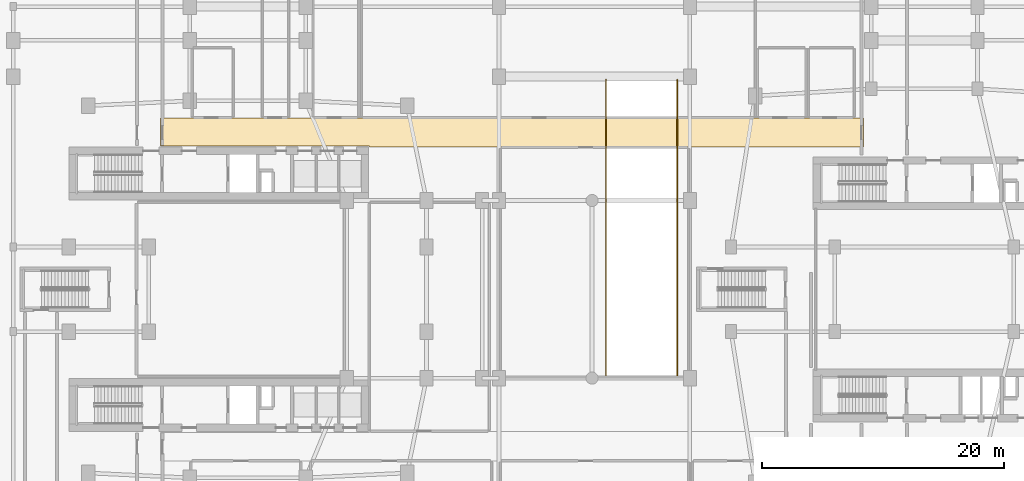
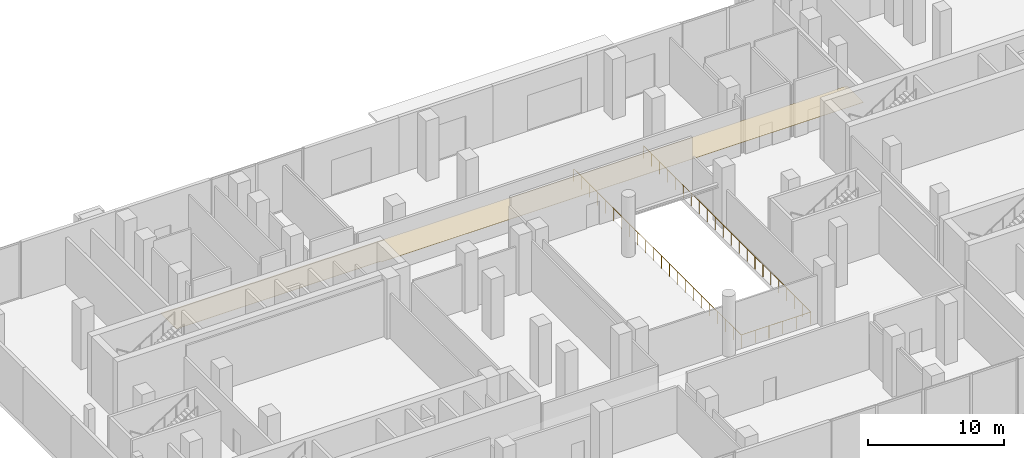
# One storey, part 22 of 24: 1 covering, 1 railing.
"""IFC4 building model written with IfcOpenShell, lengths in metres."""

from ifc_helpers import new_model, si_unit, derived_unit, direction, frame, origin, origin_2d, place, context, subcontext, project, spatial, polyline, circle, outline, extrude, material, layer, layer_set, type_object, element, save


model = new_model("IFC4")

# Units and contexts
model_context = context("Model", 3, precision=1e-05, world=origin(), true_north=direction((0.0, 1.0)))
body_context = subcontext(model_context, "Body", "Model", "MODEL_VIEW")
ifc_project = project(units=[si_unit("LENGTHUNIT", "METRE"), si_unit("AREAUNIT", "SQUARE_METRE"), si_unit("VOLUMEUNIT", "CUBIC_METRE"), si_unit("PLANEANGLEUNIT", "RADIAN"), si_unit("MASSUNIT", "GRAM", prefix="KILO"), derived_unit("THERMALTRANSMITTANCEUNIT", [(si_unit("POWERUNIT", "WATT"), 1), (si_unit("LENGTHUNIT", "METRE"), -2), (si_unit("THERMODYNAMICTEMPERATUREUNIT", "KELVIN"), -1)])], contexts=[model_context])

# Site, building, storey
site_placement = place(None, origin())
site = spatial("IfcSite", under=ifc_project, at=site_placement, CompositionType="ELEMENT")
building_placement = place(site_placement, origin())
building = spatial("IfcBuilding", under=site, at=building_placement, Name="Kivonza Crest Hotel", CompositionType="ELEMENT")
storey_placement = place(building_placement, origin())
storey = spatial("IfcBuildingStorey", under=building, at=storey_placement, Name="L00", CompositionType="ELEMENT", Elevation=0.0)

# Covering
ifc_material_1 = material(Name="Mineral-fibre acoustic ceiling tile", Category="gypsum")
ifc_layer = layer(ifc_material_1, 0.02490234375)
ifc_layer_set = layer_set([ifc_layer], Name="Mineral-fibre acoustic ceiling tile")
covering_type = type_object("IfcCoveringType", Name="CV-CEIL-ACOU", PredefinedType="CEILING", material=ifc_layer_set)
covering_placement = place(storey_placement, frame((0.0, 0.0, 3.0)))
element("IfcCovering", 1, at=covering_placement, inside=storey, type_object=covering_type, Name="L00 Ground North and West Concourse Corridor suspended ceiling", PredefinedType="CEILING", context=body_context, shape_type="SweptSolid", body=[
    extrude(outline(polyline([(71.9599609375, 36.760009765625), (71.9599609375, 39.18994140625), (13.7900390625, 39.18994140625), (13.7900390625, 36.860107421875), (31.10009765625, 36.860107421875), (31.10009765625, 36.760009765625), (71.9599609375, 36.760009765625)])), origin(), (0.0, 0.0, 1.0), 0.02490234375),
])

# Railing
ifc_material_2 = material(Name="Painted steel balustrade", Category="steel")
railing_type = type_object("IfcRailingType", Name="RL-STAIR-1150", PredefinedType="BALUSTRADE", material=ifc_material_2)
railing_placement = place(storey_placement, frame((50.64990234375, 42.35009765625, 0.0)))
element("IfcRailing", 2, at=railing_placement, inside=storey, type_object=railing_type, Name="L00 vehicle ramp well perimeter safety guard", PredefinedType="BALUSTRADE", context=body_context, shape_type="SweptSolid", body=[
    extrude(circle(Radius=0.02392578125, at=origin_2d()), frame((0.0, 0.0, 1.1259765625), z_axis=(0.0, -1.0, 0.0), x_axis=(1.0, 0.0, 0.0)), (0.0, 0.0, 1.0), 24.550048828125),
    extrude(circle(Radius=0.02392578125, at=origin_2d()), frame((0.0, -24.550048828125, 1.1259765625), z_axis=(1.0, 0.0, 0.0), x_axis=(0.0, 1.0, 0.0)), (0.0, 0.0, 1.0), 5.900146484375),
    extrude(circle(Radius=0.02392578125, at=origin_2d()), frame((5.900146484375, -24.550048828125, 1.1259765625), z_axis=(0.0, 1.0, 0.0), x_axis=(-1.0, 0.0, 0.0)), (0.0, 0.0, 1.0), 24.550048828125),
    extrude(circle(Radius=0.02099609375, at=origin_2d()), origin(), (0.0, 0.0, 1.0), 1.101806640625),
    extrude(circle(Radius=0.02099609375, at=origin_2d()), frame((0.0, -1.1689453125, 0.0)), (0.0, 0.0, 1.0), 1.101806640625),
    extrude(circle(Radius=0.02099609375, at=origin_2d()), frame((0.0, -2.338134765625, 0.0)), (0.0, 0.0, 1.0), 1.101806640625),
    extrude(circle(Radius=0.02099609375, at=origin_2d()), frame((0.0, -3.507080078125, 0.0)), (0.0, 0.0, 1.0), 1.101806640625),
    extrude(circle(Radius=0.02099609375, at=origin_2d()), frame((0.0, -4.67626953125, 0.0)), (0.0, 0.0, 1.0), 1.101806640625),
    extrude(circle(Radius=0.02099609375, at=origin_2d()), frame((0.0, -5.84521484375, 0.0)), (0.0, 0.0, 1.0), 1.101806640625),
    extrude(circle(Radius=0.02099609375, at=origin_2d()), frame((0.0, -7.014404296875, 0.0)), (0.0, 0.0, 1.0), 1.101806640625),
    extrude(circle(Radius=0.02099609375, at=origin_2d()), frame((0.0, -8.183349609375, 0.0)), (0.0, 0.0, 1.0), 1.101806640625),
    extrude(circle(Radius=0.02099609375, at=origin_2d()), frame((0.0, -9.352294921875, 0.0)), (0.0, 0.0, 1.0), 1.101806640625),
    extrude(circle(Radius=0.02099609375, at=origin_2d()), frame((0.0, -10.521484375, 0.0)), (0.0, 0.0, 1.0), 1.101806640625),
    extrude(circle(Radius=0.02099609375, at=origin_2d()), frame((0.0, -11.6904296875, 0.0)), (0.0, 0.0, 1.0), 1.101806640625),
    extrude(circle(Radius=0.02099609375, at=origin_2d()), frame((0.0, -12.859619140625, 0.0)), (0.0, 0.0, 1.0), 1.101806640625),
    extrude(circle(Radius=0.02099609375, at=origin_2d()), frame((0.0, -14.028564453125, 0.0)), (0.0, 0.0, 1.0), 1.101806640625),
    extrude(circle(Radius=0.02099609375, at=origin_2d()), frame((0.0, -15.19775390625, 0.0)), (0.0, 0.0, 1.0), 1.101806640625),
    extrude(circle(Radius=0.02099609375, at=origin_2d()), frame((0.0, -16.36669921875, 0.0)), (0.0, 0.0, 1.0), 1.101806640625),
    extrude(circle(Radius=0.02099609375, at=origin_2d()), frame((0.0, -17.53564453125, 0.0)), (0.0, 0.0, 1.0), 1.101806640625),
    extrude(circle(Radius=0.02099609375, at=origin_2d()), frame((0.0, -18.704833984375, 0.0)), (0.0, 0.0, 1.0), 1.101806640625),
    extrude(circle(Radius=0.02099609375, at=origin_2d()), frame((0.0, -19.873779296875, 0.0)), (0.0, 0.0, 1.0), 1.101806640625),
    extrude(circle(Radius=0.02099609375, at=origin_2d()), frame((0.0, -21.04296875, 0.0)), (0.0, 0.0, 1.0), 1.101806640625),
    extrude(circle(Radius=0.02099609375, at=origin_2d()), frame((0.0, -22.2119140625, 0.0)), (0.0, 0.0, 1.0), 1.101806640625),
    extrude(circle(Radius=0.02099609375, at=origin_2d()), frame((0.0, -23.381103515625, 0.0)), (0.0, 0.0, 1.0), 1.101806640625),
    extrude(circle(Radius=0.02099609375, at=origin_2d()), frame((0.0, -24.550048828125, 0.0)), (0.0, 0.0, 1.0), 1.101806640625),
    extrude(circle(Radius=0.02099609375, at=origin_2d()), frame((1.179931640625, -24.550048828125, 0.0)), (0.0, 0.0, 1.0), 1.101806640625),
    extrude(circle(Radius=0.02099609375, at=origin_2d()), frame((2.360107421875, -24.550048828125, 0.0)), (0.0, 0.0, 1.0), 1.101806640625),
    extrude(circle(Radius=0.02099609375, at=origin_2d()), frame((3.5400390625, -24.550048828125, 0.0)), (0.0, 0.0, 1.0), 1.101806640625),
    extrude(circle(Radius=0.02099609375, at=origin_2d()), frame((4.72021484375, -24.550048828125, 0.0)), (0.0, 0.0, 1.0), 1.101806640625),
    extrude(circle(Radius=0.02099609375, at=origin_2d()), frame((5.900146484375, -24.550048828125, 0.0)), (0.0, 0.0, 1.0), 1.101806640625),
    extrude(circle(Radius=0.02099609375, at=origin_2d()), frame((5.900146484375, -23.381103515625, 0.0)), (0.0, 0.0, 1.0), 1.101806640625),
    extrude(circle(Radius=0.02099609375, at=origin_2d()), frame((5.900146484375, -22.2119140625, 0.0)), (0.0, 0.0, 1.0), 1.101806640625),
    extrude(circle(Radius=0.02099609375, at=origin_2d()), frame((5.900146484375, -21.04296875, 0.0)), (0.0, 0.0, 1.0), 1.101806640625),
    extrude(circle(Radius=0.02099609375, at=origin_2d()), frame((5.900146484375, -19.873779296875, 0.0)), (0.0, 0.0, 1.0), 1.101806640625),
    extrude(circle(Radius=0.02099609375, at=origin_2d()), frame((5.900146484375, -18.704833984375, 0.0)), (0.0, 0.0, 1.0), 1.101806640625),
    extrude(circle(Radius=0.02099609375, at=origin_2d()), frame((5.900146484375, -17.53564453125, 0.0)), (0.0, 0.0, 1.0), 1.101806640625),
    extrude(circle(Radius=0.02099609375, at=origin_2d()), frame((5.900146484375, -16.36669921875, 0.0)), (0.0, 0.0, 1.0), 1.101806640625),
    extrude(circle(Radius=0.02099609375, at=origin_2d()), frame((5.900146484375, -15.19775390625, 0.0)), (0.0, 0.0, 1.0), 1.101806640625),
    extrude(circle(Radius=0.02099609375, at=origin_2d()), frame((5.900146484375, -14.028564453125, 0.0)), (0.0, 0.0, 1.0), 1.101806640625),
    extrude(circle(Radius=0.02099609375, at=origin_2d()), frame((5.900146484375, -12.859619140625, 0.0)), (0.0, 0.0, 1.0), 1.101806640625),
    extrude(circle(Radius=0.02099609375, at=origin_2d()), frame((5.900146484375, -11.6904296875, 0.0)), (0.0, 0.0, 1.0), 1.101806640625),
    extrude(circle(Radius=0.02099609375, at=origin_2d()), frame((5.900146484375, -10.521484375, 0.0)), (0.0, 0.0, 1.0), 1.101806640625),
    extrude(circle(Radius=0.02099609375, at=origin_2d()), frame((5.900146484375, -9.352294921875, 0.0)), (0.0, 0.0, 1.0), 1.101806640625),
    extrude(circle(Radius=0.02099609375, at=origin_2d()), frame((5.900146484375, -8.183349609375, 0.0)), (0.0, 0.0, 1.0), 1.101806640625),
    extrude(circle(Radius=0.02099609375, at=origin_2d()), frame((5.900146484375, -7.014404296875, 0.0)), (0.0, 0.0, 1.0), 1.101806640625),
    extrude(circle(Radius=0.02099609375, at=origin_2d()), frame((5.900146484375, -5.84521484375, 0.0)), (0.0, 0.0, 1.0), 1.101806640625),
    extrude(circle(Radius=0.02099609375, at=origin_2d()), frame((5.900146484375, -4.67626953125, 0.0)), (0.0, 0.0, 1.0), 1.101806640625),
    extrude(circle(Radius=0.02099609375, at=origin_2d()), frame((5.900146484375, -3.507080078125, 0.0)), (0.0, 0.0, 1.0), 1.101806640625),
    extrude(circle(Radius=0.02099609375, at=origin_2d()), frame((5.900146484375, -2.338134765625, 0.0)), (0.0, 0.0, 1.0), 1.101806640625),
    extrude(circle(Radius=0.02099609375, at=origin_2d()), frame((5.900146484375, -1.1689453125, 0.0)), (0.0, 0.0, 1.0), 1.101806640625),
    extrude(circle(Radius=0.02099609375, at=origin_2d()), frame((5.900146484375, 0.0, 0.0)), (0.0, 0.0, 1.0), 1.101806640625),
])

save(model, "model.ifc")
